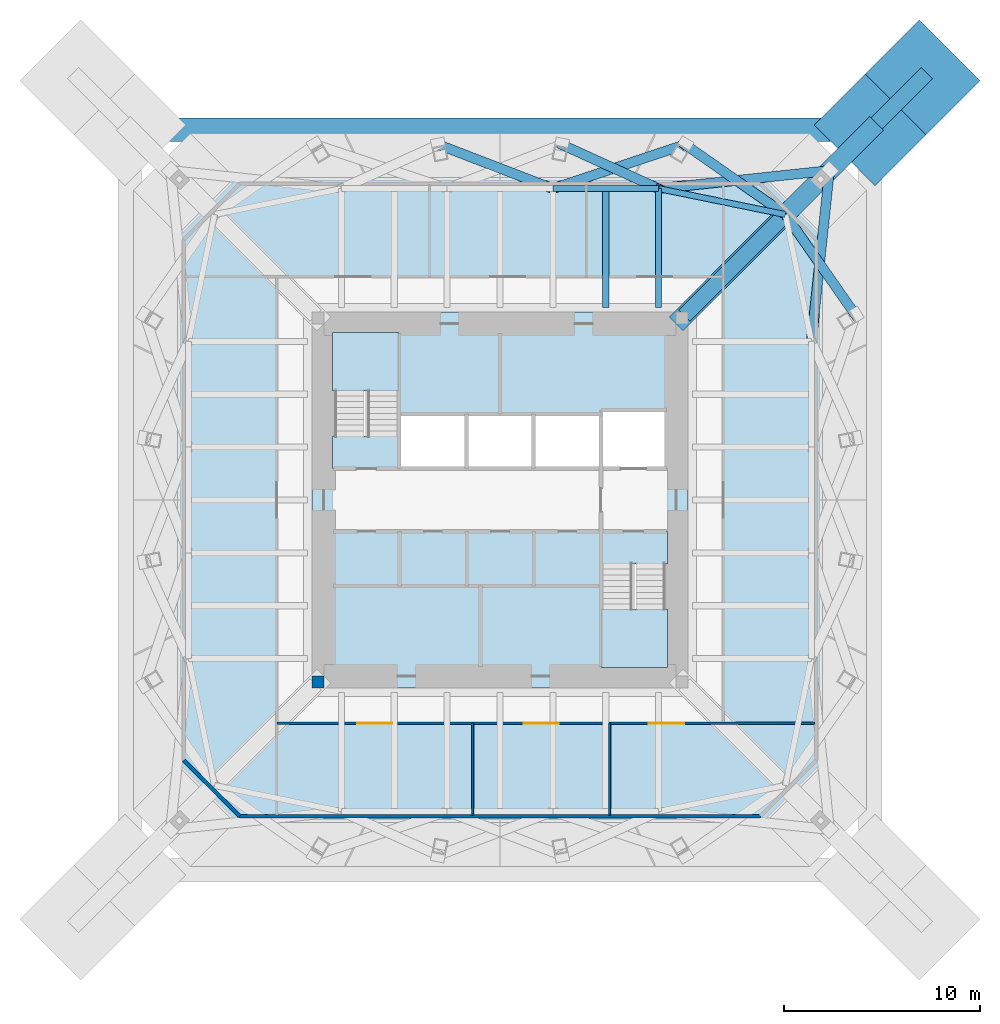
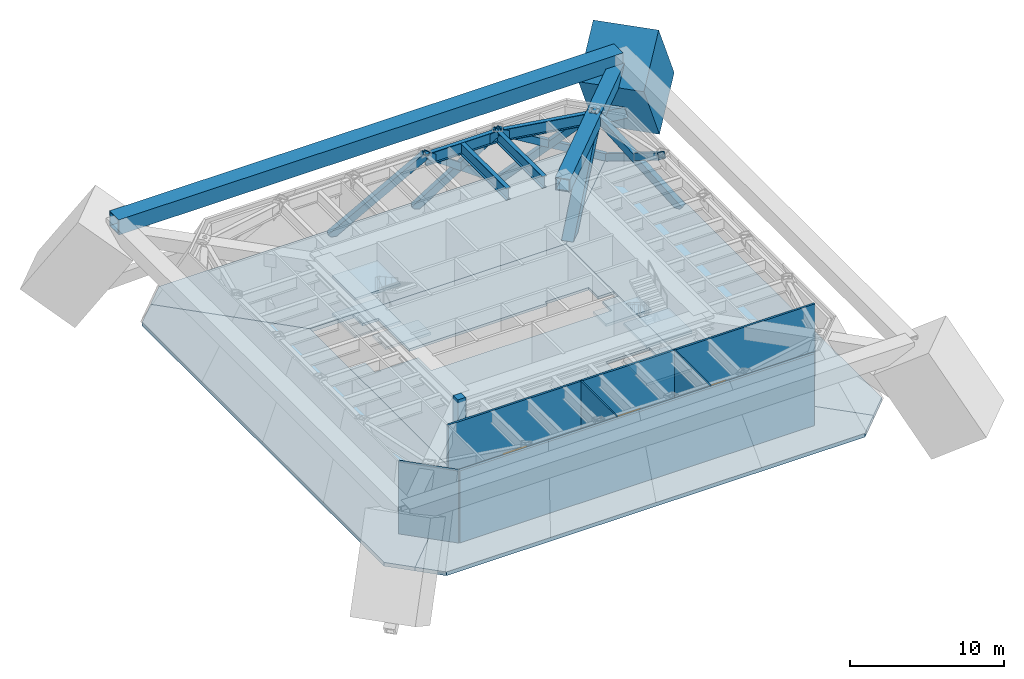
# One storey, part 3 of 6: 13 members, 12 slabs, 6 walls, 4 beams, 3 doors, 3 openings, 2 elements without a shape of their own.
"""IFC4 building model written with IfcOpenShell, lengths in metres."""

from ifc_helpers import new_model, si_unit, direction, frame, frame_2d, origin, origin_2d, place, context, subcontext, project, spatial, polyline, rectangle, hollow_rectangle, i_section, outline, extrude, material, layer, layer_set, constituent, constituent_set, material_profile, profile_set, type_object, element, fill, aggregate, save


model = new_model("IFC4")

# Units and contexts
model_context = context("Model", 3, precision=1e-05, world=origin(), true_north=direction((0.0, 1.0)))
body_context = subcontext(model_context, "Body", "Model", "MODEL_VIEW")
ifc_project = project(units=[si_unit("LENGTHUNIT", "METRE"), si_unit("AREAUNIT", "SQUARE_METRE"), si_unit("VOLUMEUNIT", "CUBIC_METRE"), si_unit("PLANEANGLEUNIT", "RADIAN"), si_unit("MASSUNIT", "GRAM", prefix="KILO")], contexts=[model_context])

# Site, building, storey
site_placement = place(None, origin())
site = spatial("IfcSite", under=ifc_project, at=site_placement, CompositionType="ELEMENT")
building_placement = place(site_placement, origin())
building = spatial("IfcBuilding", under=site, at=building_placement, Name="Iwan Alto Co-Living Towers", CompositionType="ELEMENT")
storey_placement = place(building_placement, frame((0.0, 0.0, 209.0)))
storey = spatial("IfcBuildingStorey", under=building, at=storey_placement, Name="L57", CompositionType="ELEMENT", Elevation=209.0)

# Beams
ifc_material_1 = material(Name="Steel ASTM A992 Gr 50", Category="steel")
ifc_material_profile_1 = material_profile(ifc_material_1, i_section(OverallWidth=0.307373046875, OverallDepth=0.927001953125, WebThickness=0.01953125, FlangeThickness=0.031982421875, at=origin_2d()), Name="W36X194")
ifc_profile_set_1 = profile_set([ifc_material_profile_1], Name="Steel ASTM A992 Gr 50")
beam_type_1 = type_object("IfcBeamType", Name="T1 BELT TRUSS CHORD W36X194", PredefinedType="BEAM", material=ifc_profile_set_1)
beam_1_placement = place(storey_placement, frame((14.57568359375, 14.57568359375, 5.306396484375), z_axis=(-0.979724820103, 0.200347889618, 0.0), x_axis=(-0.200347889618, -0.979724820103, 0.0)))
element("IfcBeam", 1, at=beam_1_placement, inside=storey, type_object=beam_type_1, Name="T1 edge beam CNE L58", PredefinedType="BEAM", context=body_context, shape_type="SweptSolid", body=[
    extrude(i_section(OverallWidth=0.307373046875, OverallDepth=0.927001953125, WebThickness=0.01953125, FlangeThickness=0.031982421875, at=origin_2d()), origin(), (0.0, 0.0, 1.0), 6.609619140625),
])
beam_2_placement = place(storey_placement, frame((8.10009765625, 15.89990234375, 5.306396484375), z_axis=(-1.0, 0.0, 0.0), x_axis=(0.0, -1.0, 0.0)))
element("IfcBeam", 2, at=beam_2_placement, inside=storey, type_object=beam_type_1, Name="T1 edge beam N1 L58", PredefinedType="BEAM", context=body_context, shape_type="SweptSolid", body=[
    extrude(i_section(OverallWidth=0.307373046875, OverallDepth=0.927001953125, WebThickness=0.01953125, FlangeThickness=0.031982421875, at=origin_2d()), origin(), (0.0, 0.0, 1.0), 5.400146484375),
])

# Members
ifc_material_2 = material(Name="Steel ASTM A572 Gr 50", Category="steel")
ifc_material_profile_2 = material_profile(ifc_material_2, hollow_rectangle(XDim=0.5, YDim=0.5, WallThickness=0.031982421875, at=origin_2d()), Name="BOX 500X500X32")
ifc_profile_set_2 = profile_set([ifc_material_profile_2], Name="Steel ASTM A572 Gr 50")
member_type_1 = type_object("IfcMemberType", Name="T1 BELT TRUSS DIAGONAL BOX 500X500X32", PredefinedType="BRACE", material=ifc_profile_set_2)
member_1_placement = place(storey_placement, frame((18.14990234375, 9.449951171875, 0.0), z_axis=(-0.422584825001, 0.606022431756, 0.673913108559), x_axis=(-0.820267631466, -0.571979905914, 0.0)))
element("IfcMember", 3, at=member_1_placement, inside=storey, type_object=member_type_1, Name="T1 belt truss diagonal E4 L57 1", PredefinedType="BRACE", context=body_context, shape_type="SweptSolid", body=[
    extrude(hollow_rectangle(XDim=0.5, YDim=0.5, WallThickness=0.031982421875, at=origin_2d()), origin(), (0.0, 0.0, 1.0), 8.4580078125),
])
for number, where, z_axis, x_axis, name in (
    (4, (16.82568359375, 16.82568359375, 0.0), (-0.088478203725, -0.833916403256, 0.544752273833), (0.994418516205, -0.105507415038, 0.0), "T1 belt truss diagonal E4 L57 2"),
    (5, (16.82568359375, 16.82568359375, 0.0), (-0.833916403256, -0.088478203725, 0.544752273833), (0.105507415038, -0.994418516205, 0.0), "T1 belt truss diagonal CNE L57 1"),
):
    element("IfcMember", number, at=place(storey_placement, frame(where, z_axis=z_axis, x_axis=x_axis)), inside=storey, type_object=member_type_1, Name=name, PredefinedType="BRACE", context=body_context, shape_type="SweptSolid", body=[
        extrude(hollow_rectangle(XDim=0.5, YDim=0.5, WallThickness=0.031982421875, at=origin_2d()), origin(), (0.0, 0.0, 1.0), 10.46337890625),
    ])
member_2_placement = place(storey_placement, frame((9.449951171875, 18.14990234375, 0.0), z_axis=(0.606022431756, -0.422584825001, 0.673913108559), x_axis=(0.571979905914, 0.820267631466, 0.0)))
element("IfcMember", 6, at=member_2_placement, inside=storey, type_object=member_type_1, Name="T1 belt truss diagonal CNE L57 2", PredefinedType="BRACE", context=body_context, shape_type="SweptSolid", body=[
    extrude(hollow_rectangle(XDim=0.5, YDim=0.5, WallThickness=0.031982421875, at=origin_2d()), origin(), (0.0, 0.0, 1.0), 8.4580078125),
])
member_3_placement = place(storey_placement, frame((9.449951171875, 18.14990234375, 0.0), z_axis=(-0.740398486837, -0.246799495612, 0.625220032993), x_axis=(0.316227766017, -0.948683298051, 0.0)))
element("IfcMember", 7, at=member_3_placement, inside=storey, type_object=member_type_1, Name="T1 belt truss diagonal N1 L57 1", PredefinedType="BRACE", context=body_context, shape_type="SweptSolid", body=[
    extrude(hollow_rectangle(XDim=0.5, YDim=0.5, WallThickness=0.031982421875, at=origin_2d()), origin(), (0.0, 0.0, 1.0), 9.11669921875),
])
member_4_placement = place(storey_placement, frame((3.14990234375, 18.14990234375, 0.0), z_axis=(0.628389798864, -0.28562045701, 0.723565626064), x_axis=(0.413789413043, 0.910372627913, 0.0)))
element("IfcMember", 8, at=member_4_placement, inside=storey, type_object=member_type_1, Name="T1 belt truss diagonal N1 L57 2", PredefinedType="BRACE", context=body_context, shape_type="SweptSolid", body=[
    extrude(hollow_rectangle(XDim=0.5, YDim=0.5, WallThickness=0.031982421875, at=origin_2d()), origin(), (0.0, 0.0, 1.0), 7.877685546875),
])
member_5_placement = place(storey_placement, frame((-3.14990234375, 18.14990234375, 0.0), z_axis=(0.690502507157, -0.265584537622, 0.672808398422), x_axis=(0.358986909968, 0.933342594373, 0.0)))
element("IfcMember", 9, at=member_5_placement, inside=storey, type_object=member_type_1, Name="T1 belt truss diagonal N2 L57 2", PredefinedType="BRACE", context=body_context, shape_type="SweptSolid", body=[
    extrude(hollow_rectangle(XDim=0.5, YDim=0.5, WallThickness=0.031982421875, at=origin_2d()), origin(), (0.0, 0.0, 1.0), 8.471923828125),
])
ifc_material_3 = material(Name="Steel ASTM A572 Gr 50", Category="steel")
ifc_material_profile_3 = material_profile(ifc_material_3, hollow_rectangle(XDim=1.199951171875, YDim=1.199951171875, WallThickness=0.070068359375, at=origin_2d()), Name="BOX 1200X1200X70")
ifc_profile_set_3 = profile_set([ifc_material_profile_3], Name="Steel ASTM A572 Gr 50")
member_type_2 = type_object("IfcMemberType", Name="T1 MEGA BELT TIE BOX 1200X1200X70", PredefinedType="STRUT", material=ifc_profile_set_3)
member_6_placement = place(storey_placement, frame((18.89990234375, 18.89990234375, 6.0), z_axis=(-1.0, 0.0, 0.0), x_axis=(0.0, -1.0, 0.0)))
element("IfcMember", 10, at=member_6_placement, inside=storey, type_object=member_type_2, Name="T1 mega belt tie N L58", PredefinedType="STRUT", context=body_context, shape_type="SweptSolid", body=[
    extrude(hollow_rectangle(XDim=1.199951171875, YDim=1.199951171875, WallThickness=0.070068359375, at=origin_2d()), origin(), (0.0, 0.0, 1.0), 37.7998046875),
])
ifc_material_4 = material(Name="Steel ASTM A572 Gr 50", Category="steel")
ifc_material_profile_4 = material_profile(ifc_material_4, hollow_rectangle(XDim=1.0, YDim=1.0, WallThickness=0.070068359375, at=origin_2d()), Name="BOX 1000X1000X70")
ifc_profile_set_4 = profile_set([ifc_material_profile_4], Name="Steel ASTM A572 Gr 50")
member_type_3 = type_object("IfcMemberType", Name="T1 OUTRIGGER CHORD BOX 1000X1000X70", PredefinedType="CHORD", material=ifc_profile_set_4)
member_7_placement = place(storey_placement, frame((9.0, 9.0, 5.27001953125), z_axis=(0.707106781187, 0.707106781187, 0.0), x_axis=(-0.707106781187, 0.707106781187, 0.0)))
element("IfcMember", 11, at=member_7_placement, inside=storey, type_object=member_type_3, Name="T1 outrigger NE L57 top chord 1", PredefinedType="CHORD", context=body_context, shape_type="SweptSolid", body=[
    extrude(hollow_rectangle(XDim=1.0, YDim=1.0, WallThickness=0.070068359375, at=origin_2d()), origin(), (0.0, 0.0, 1.0), 7.88525390625),
])
member_8_placement = place(storey_placement, frame((14.57568359375, 14.57568359375, 5.27001953125), z_axis=(0.707106781187, 0.707106781187, 0.0), x_axis=(-0.707106781187, 0.707106781187, 0.0)))
element("IfcMember", 12, at=member_8_placement, inside=storey, type_object=member_type_3, Name="T1 outrigger NE L57 top chord 2", PredefinedType="CHORD", context=body_context, shape_type="SweptSolid", body=[
    extrude(hollow_rectangle(XDim=1.0, YDim=1.0, WallThickness=0.070068359375, at=origin_2d()), origin(), (0.0, 0.0, 1.0), 6.588623046875),
])
ifc_material_5 = material(Name="Steel ASTM A572 Gr 42", Category="steel")
ifc_material_profile_5 = material_profile(ifc_material_5, hollow_rectangle(XDim=0.800048828125, YDim=0.800048828125, WallThickness=0.139892578125, at=origin_2d()), Name="BOX 800X800X140")
ifc_profile_set_5 = profile_set([ifc_material_profile_5], Name="Steel ASTM A572 Gr 42")
member_type_4 = type_object("IfcMemberType", Name="T1 OUTRIGGER DIAGONAL BOX 800X800X140", PredefinedType="BRACE", material=ifc_profile_set_5)
member_9_placement = place(storey_placement, frame((9.60009765625, 9.60009765625, -0.800048828125), z_axis=(0.535415984594, 0.535415984594, 0.653191738222), x_axis=(-0.707106781187, 0.707106781187, 0.0)))
element("IfcMember", 13, at=member_9_placement, inside=storey, type_object=member_type_4, Name="T1 outrigger NE L57 diagonal 1", PredefinedType="BRACE", context=body_context, shape_type="SweptSolid", body=[
    extrude(hollow_rectangle(XDim=0.800048828125, YDim=0.800048828125, WallThickness=0.139892578125, at=origin_2d()), origin(), (0.0, 0.0, 1.0), 9.29296875),
])
member_10_placement = place(storey_placement, frame((14.57568359375, 14.57568359375, 5.27001953125), z_axis=(0.604535007813, 0.604535007813, -0.518724251079), x_axis=(-0.707106781187, 0.707106781187, 0.0)))
element("IfcMember", 14, at=member_10_placement, inside=storey, type_object=member_type_4, Name="T1 outrigger NE L57 diagonal 2", PredefinedType="BRACE", context=body_context, shape_type="SweptSolid", body=[
    extrude(hollow_rectangle(XDim=0.800048828125, YDim=0.800048828125, WallThickness=0.139892578125, at=origin_2d()), origin(), (0.0, 0.0, 1.0), 11.701904296875),
])

# Beam
ifc_material_6 = material(Name="Steel ASTM A992 Gr 50", Category="steel")
ifc_material_profile_6 = material_profile(ifc_material_6, i_section(OverallWidth=0.307373046875, OverallDepth=0.927001953125, WebThickness=0.01953125, FlangeThickness=0.031982421875, at=origin_2d()), Name="W36X194")
ifc_profile_set_6 = profile_set([ifc_material_profile_6], Name="Steel ASTM A992 Gr 50")
beam_type_2 = type_object("IfcBeamType", Name="T1 RADIAL BEAM W36X194", PredefinedType="BEAM", material=ifc_profile_set_6)
beam_3_placement = place(storey_placement, frame((8.10009765625, 15.89990234375, 5.306396484375), z_axis=(0.0, -1.0, 0.0), x_axis=(1.0, 0.0, 0.0)))
element("IfcBeam", 15, at=beam_3_placement, inside=storey, type_object=beam_type_2, Name="T1 radial beam N1 L58", PredefinedType="BEAM", context=body_context, shape_type="SweptSolid", body=[
    extrude(i_section(OverallWidth=0.307373046875, OverallDepth=0.927001953125, WebThickness=0.01953125, FlangeThickness=0.031982421875, at=origin_2d()), origin(), (0.0, 0.0, 1.0), 6.08154296875),
])

# Member
ifc_material_7 = material(Name="Concrete f'c 70 MPa", Category="concrete")
ifc_material_profile_7 = material_profile(ifc_material_7, rectangle(XDim=4.39990234375, YDim=4.39990234375, at=origin_2d()), Name="RC 4400X4400")
ifc_profile_set_7 = profile_set([ifc_material_profile_7], Name="Concrete f'c 70 MPa")
member_type_5 = type_object("IfcMemberType", Name="T1 RAKING MEGA COLUMN RC 4400X4400", PredefinedType="MEMBER", material=ifc_profile_set_7)
member_11_placement = place(storey_placement, frame((21.64990234375, 21.64990234375, 0.0), z_axis=(-0.384605980701, -0.384605980701, 0.83914032153), x_axis=(0.707106781187, -0.707106781187, 0.0)))
element("IfcMember", 16, at=member_11_placement, inside=storey, type_object=member_type_5, Name="T1 raking mega column NE L57", PredefinedType="MEMBER", context=body_context, shape_type="SweptSolid", body=[
    extrude(rectangle(XDim=4.39990234375, YDim=4.39990234375, at=origin_2d()), origin(), (0.0, 0.0, 1.0), 7.150146484375),
    extrude(i_section(OverallWidth=0.4775390625, OverallDepth=0.599365234375, WebThickness=0.10009765625, FlangeThickness=0.139892578125, at=origin_2d()), origin(), (0.0, 0.0, 1.0), 7.150146484375),
])

# Beam
ifc_material_8 = material(Name="Steel ASTM A992 Gr 50", Category="steel")
ifc_material_profile_8 = material_profile(ifc_material_8, i_section(OverallWidth=0.307373046875, OverallDepth=0.927001953125, WebThickness=0.01953125, FlangeThickness=0.031982421875, at=origin_2d()), Name="W36X194")
ifc_profile_set_8 = profile_set([ifc_material_profile_8], Name="Steel ASTM A992 Gr 50")
beam_type_3 = type_object("IfcBeamType", Name="T1 SECONDARY BEAM W36X194", PredefinedType="JOIST", material=ifc_profile_set_8)
beam_4_placement = place(storey_placement, frame((5.39990234375, 15.89990234375, 5.306396484375), z_axis=(0.0, -1.0, 0.0), x_axis=(1.0, 0.0, 0.0)))
element("IfcBeam", 17, at=beam_4_placement, inside=storey, type_object=beam_type_3, Name="T1 secondary beam N1 L58", PredefinedType="JOIST", context=body_context, shape_type="SweptSolid", body=[
    extrude(i_section(OverallWidth=0.307373046875, OverallDepth=0.927001953125, WebThickness=0.01953125, FlangeThickness=0.031982421875, at=origin_2d()), origin(), (0.0, 0.0, 1.0), 6.08154296875),
])

# Slabs
ifc_material_9 = material(Name="Concrete f'c 30 MPa", Category="concrete")
ifc_layer_1 = layer(ifc_material_9, 0.199951171875)
ifc_layer_set_1 = layer_set([ifc_layer_1], Name="CORE FLOOR SLAB 200")
slab_type_1 = type_object("IfcSlabType", Name="CORE FLOOR SLAB 200", PredefinedType="FLOOR", material=ifc_layer_set_1)
slab_1_placement = place(storey_placement, frame((0.0, 0.0, -0.199951171875)))
element("IfcSlab", 18, at=slab_1_placement, inside=storey, type_object=slab_type_1, Name="T1 core floor and outrigger diaphragm L57", PredefinedType="FLOOR", context=body_context, shape_type="SweptSolid", body=[
    extrude(outline(polyline([(5.14990234375, -8.39990234375), (6.360107421875, -8.39990234375), (6.360107421875, -9.60009765625), (-9.60009765625, -9.60009765625), (-9.60009765625, 4.47998046875), (-8.39990234375, 4.47998046875), (-8.39990234375, 3.27001953125), (-5.14990234375, 3.27001953125), (-5.14990234375, 1.60009765625), (-1.717041015625, 1.60009765625), (1.717041015625, 1.60009765625), (5.14990234375, 1.60009765625), (8.39990234375, 1.60009765625), (8.39990234375, 2.81005859375), (9.60009765625, 2.81005859375), (9.60009765625, -4.47998046875), (8.39990234375, -4.47998046875), (8.39990234375, -3.27001953125), (5.14990234375, -3.27001953125), (5.14990234375, -8.39990234375)])), origin(), (0.0, 0.0, 1.0), 0.199951171875),
])
slab_2_placement = place(storey_placement, frame((0.0, 0.0, -0.199951171875)))
element("IfcSlab", 19, at=slab_2_placement, inside=storey, type_object=slab_type_1, Name="T1 core floor and outrigger diaphragm L57", PredefinedType="FLOOR", context=body_context, shape_type="SweptSolid", body=[
    extrude(outline(polyline([(1.717041015625, 4.39990234375), (-1.717041015625, 4.39990234375), (-5.14990234375, 4.39990234375), (-5.14990234375, 8.39990234375), (-6.360107421875, 8.39990234375), (-6.360107421875, 9.60009765625), (9.60009765625, 9.60009765625), (9.60009765625, 3.389892578125), (8.39990234375, 3.389892578125), (8.39990234375, 4.60009765625), (5.14990234375, 4.60009765625), (5.14990234375, 4.39990234375), (1.717041015625, 4.39990234375)])), origin(), (0.0, 0.0, 1.0), 0.199951171875),
])

# Stair, slabs
ifc_material_10 = material(Name="Steel ASTM A36", Category="steel")
ifc_constituent_1 = constituent(ifc_material_10, Name="Stringers", Category="LoadBearing")
ifc_material_11 = material(Name="Concrete f'c 30 MPa", Category="concrete")
ifc_constituent_2 = constituent(ifc_material_11, Name="Tread fill", Category="Finish")
ifc_constituent_set = constituent_set(constituents=[ifc_constituent_1, ifc_constituent_2], Name="STAIR 6000 FOUR-FLIGHT T1 CORE")
stair_type = type_object("IfcStairType", Name="STAIR 6000 FOUR-FLIGHT T1 CORE", PredefinedType="HALF_TURN_STAIR", material=ifc_constituent_set)
stair_1_placement = place(storey_placement, origin())
stair_1 = element("IfcStair", 20, at=stair_1_placement, inside=storey, type_object=stair_type, Name="Stair T1-S1 L57 to L58", PredefinedType="HALF_TURN_STAIR")
ifc_material_12 = material(Name="Concrete f'c 30 MPa", Category="concrete")
ifc_layer_2 = layer(ifc_material_12, 0.199951171875)
ifc_layer_set_2 = layer_set([ifc_layer_2], Name="STAIR LANDING 200")
slab_type_2 = type_object("IfcSlabType", Name="STAIR LANDING 200", PredefinedType="LANDING", material=ifc_layer_set_2)
slab_3_placement = place(storey_placement, frame((0.0, 0.0, 1.300048828125)))
slab_3 = element("IfcSlab", 21, at=slab_3_placement, type_object=slab_type_2, Name="T1-S1 landing 1", PredefinedType="LANDING", context=body_context, shape_type="SweptSolid", body=[
    extrude(outline(polyline([(-8.550048828125, 5.570068359375), (-8.550048828125, 8.550048828125), (-5.14990234375, 8.550048828125), (-5.14990234375, 5.570068359375), (-8.550048828125, 5.570068359375)])), origin(), (0.0, 0.0, 1.0), 0.199951171875),
])
slab_4_placement = place(storey_placement, frame((0.0, 0.0, 2.800048828125)))
slab_4 = element("IfcSlab", 22, at=slab_4_placement, type_object=slab_type_2, Name="T1-S1 landing 2", PredefinedType="LANDING", context=body_context, shape_type="SweptSolid", body=[
    extrude(outline(polyline([(-8.550048828125, 1.60009765625), (-8.550048828125, 3.27001953125), (-5.14990234375, 3.27001953125), (-5.14990234375, 1.60009765625), (-8.550048828125, 1.60009765625)])), origin(), (0.0, 0.0, 1.0), 0.199951171875),
])
slab_5_placement = place(storey_placement, frame((0.0, 0.0, 4.300048828125)))
slab_5 = element("IfcSlab", 23, at=slab_5_placement, type_object=slab_type_2, Name="T1-S1 landing 3", PredefinedType="LANDING", context=body_context, shape_type="SweptSolid", body=[
    extrude(outline(polyline([(-8.550048828125, 5.570068359375), (-8.550048828125, 8.550048828125), (-5.14990234375, 8.550048828125), (-5.14990234375, 5.570068359375), (-8.550048828125, 5.570068359375)])), origin(), (0.0, 0.0, 1.0), 0.199951171875),
])
aggregate(stair_1, [slab_3, slab_4, slab_5])

stair_2_placement = place(storey_placement, origin())
stair_2 = element("IfcStair", 24, at=stair_2_placement, inside=storey, type_object=stair_type, Name="Stair T1-S2 L57 to L58", PredefinedType="HALF_TURN_STAIR")
slab_6_placement = place(storey_placement, frame((0.0, 0.0, 1.300048828125)))
slab_6 = element("IfcSlab", 25, at=slab_6_placement, type_object=slab_type_2, Name="T1-S2 landing 1", PredefinedType="LANDING", context=body_context, shape_type="SweptSolid", body=[
    extrude(outline(polyline([(5.14990234375, -5.570068359375), (5.14990234375, -8.550048828125), (8.550048828125, -8.550048828125), (8.550048828125, -5.570068359375), (5.14990234375, -5.570068359375)])), origin(), (0.0, 0.0, 1.0), 0.199951171875),
])
slab_7_placement = place(storey_placement, frame((0.0, 0.0, 2.800048828125)))
slab_7 = element("IfcSlab", 26, at=slab_7_placement, type_object=slab_type_2, Name="T1-S2 landing 2", PredefinedType="LANDING", context=body_context, shape_type="SweptSolid", body=[
    extrude(outline(polyline([(5.14990234375, -1.60009765625), (5.14990234375, -3.27001953125), (8.550048828125, -3.27001953125), (8.550048828125, -1.60009765625), (5.14990234375, -1.60009765625)])), origin(), (0.0, 0.0, 1.0), 0.199951171875),
])
slab_8_placement = place(storey_placement, frame((0.0, 0.0, 4.300048828125)))
slab_8 = element("IfcSlab", 27, at=slab_8_placement, type_object=slab_type_2, Name="T1-S2 landing 3", PredefinedType="LANDING", context=body_context, shape_type="SweptSolid", body=[
    extrude(outline(polyline([(5.14990234375, -5.570068359375), (5.14990234375, -8.550048828125), (8.550048828125, -8.550048828125), (8.550048828125, -5.570068359375), (5.14990234375, -5.570068359375)])), origin(), (0.0, 0.0, 1.0), 0.199951171875),
])
aggregate(stair_2, [slab_6, slab_7, slab_8])

# Slabs
ifc_material_13 = material(Name="Concrete f'c 30 MPa", Category="concrete")
ifc_layer_3 = layer(ifc_material_13, 0.300048828125)
ifc_layer_set_3 = layer_set([ifc_layer_3], Name="T1 FLOOR SLAB 300")
slab_type_3 = type_object("IfcSlabType", Name="T1 FLOOR SLAB 300", PredefinedType="FLOOR", material=ifc_layer_set_3)
slab_9_placement = place(storey_placement, frame((0.0, 0.0, -0.300048828125)))
element("IfcSlab", 28, at=slab_9_placement, inside=storey, type_object=slab_type_3, Name="T1 floor slab L57 S pour", PredefinedType="FLOOR", context=body_context, shape_type="SweptSolid", body=[
    extrude(outline(polyline([(15.69140625, -18.64990234375), (-15.69140625, -18.64990234375), (-17.170654296875, -17.170654296875), (-9.60009765625, -9.60009765625), (9.60009765625, -9.60009765625), (17.170654296875, -17.170654296875), (15.69140625, -18.64990234375)])), origin(), (0.0, 0.0, 1.0), 0.300048828125),
])
slab_10_placement = place(storey_placement, frame((0.0, 0.0, -0.300048828125)))
element("IfcSlab", 29, at=slab_10_placement, inside=storey, type_object=slab_type_3, Name="T1 floor slab L57 E pour", PredefinedType="FLOOR", context=body_context, shape_type="SweptSolid", body=[
    extrude(outline(polyline([(18.64990234375, 15.69140625), (18.64990234375, -15.69140625), (17.170654296875, -17.170654296875), (9.60009765625, -9.60009765625), (9.60009765625, 9.60009765625), (17.170654296875, 17.170654296875), (18.64990234375, 15.69140625)])), origin(), (0.0, 0.0, 1.0), 0.300048828125),
])
slab_11_placement = place(storey_placement, frame((0.0, 0.0, -0.300048828125)))
element("IfcSlab", 30, at=slab_11_placement, inside=storey, type_object=slab_type_3, Name="T1 floor slab L57 N pour", PredefinedType="FLOOR", context=body_context, shape_type="SweptSolid", body=[
    extrude(outline(polyline([(-15.69140625, 18.64990234375), (15.69140625, 18.64990234375), (17.170654296875, 17.170654296875), (9.60009765625, 9.60009765625), (-9.60009765625, 9.60009765625), (-17.170654296875, 17.170654296875), (-15.69140625, 18.64990234375)])), origin(), (0.0, 0.0, 1.0), 0.300048828125),
])
slab_12_placement = place(storey_placement, frame((0.0, 0.0, -0.300048828125)))
element("IfcSlab", 31, at=slab_12_placement, inside=storey, type_object=slab_type_3, Name="T1 floor slab L57 W pour", PredefinedType="FLOOR", context=body_context, shape_type="SweptSolid", body=[
    extrude(outline(polyline([(-18.64990234375, 15.69140625), (-17.170654296875, 17.170654296875), (-9.60009765625, 9.60009765625), (-9.60009765625, -9.60009765625), (-17.170654296875, -17.170654296875), (-18.64990234375, -15.69140625), (-18.64990234375, 15.69140625)])), origin(), (0.0, 0.0, 1.0), 0.300048828125),
])

# Wall, openings, doors
ifc_material_14 = material(Name="Gypsum board")
ifc_layer_4 = layer(ifc_material_14, 0.02490234375, Name="Board", Category="Finish")
ifc_material_15 = material(Name="Steel ASTM A1003 ST33H cold-formed studs", Category="steel")
ifc_layer_5 = layer(ifc_material_15, 0.10009765625, Name="Studs", Category="Framing")
ifc_layer_6 = layer(ifc_material_14, 0.02490234375, Name="Board", Category="Finish")
ifc_layer_set_4 = layer_set([ifc_layer_4, ifc_layer_5, ifc_layer_6], Name="CORRIDOR WALL 150")
wall_type_1 = type_object("IfcWallType", Name="CORRIDOR WALL 150", PredefinedType="PARTITIONING", material=ifc_layer_set_4)
wall_1_placement = place(storey_placement, frame((-11.39990234375, -11.39990234375, 0.0), z_axis=(0.0, 0.0, 1.0), x_axis=(1.0, 0.0, 0.0)))
wall_1 = element("IfcWall", 32, at=wall_1_placement, inside=storey, type_object=wall_type_1, Name="Partition L57", PredefinedType="PARTITIONING", context=body_context, shape_type="SweptSolid", body=[
    extrude(rectangle(XDim=27.489990234375, YDim=0.14990234375, at=frame_2d((13.7451171875, 0.0))), origin(), (0.0, 0.0, 1.0), 5.77001953125),
])
opening_1_placement = place(wall_1_placement, frame((4.10009765625, 0.0, 0.0)))
opening_1 = element("IfcOpeningElement", 33, at=opening_1_placement, cuts=wall_1, Name="Opening D9", PredefinedType="OPENING", context=body_context, shape_type="SweptSolid", body=[
    extrude(rectangle(XDim=1.800048828125, YDim=2.10009765625, at=frame_2d((0.89990234375, 1.050048828125))), frame((0.0, 0.0849609375, 0.0), z_axis=(0.0, -1.0, 0.0), x_axis=(1.0, 0.0, 0.0)), (0.0, 0.0, 1.0), 0.169921875),
])
opening_2_placement = place(wall_1_placement, frame((12.60009765625, 0.0, 0.0)))
opening_2 = element("IfcOpeningElement", 34, at=opening_2_placement, cuts=wall_1, Name="Opening D9", PredefinedType="OPENING", context=body_context, shape_type="SweptSolid", body=[
    extrude(rectangle(XDim=1.800048828125, YDim=2.10009765625, at=frame_2d((0.89990234375, 1.050048828125))), frame((0.0, 0.0849609375, 0.0), z_axis=(0.0, -1.0, 0.0), x_axis=(1.0, 0.0, 0.0)), (0.0, 0.0, 1.0), 0.169921875),
])
opening_3_placement = place(wall_1_placement, frame((19.0, 0.0, 0.0)))
opening_3 = element("IfcOpeningElement", 35, at=opening_3_placement, cuts=wall_1, Name="Opening D9", PredefinedType="OPENING", context=body_context, shape_type="SweptSolid", body=[
    extrude(rectangle(XDim=1.800048828125, YDim=2.10009765625, at=frame_2d((0.89990234375, 1.050048828125))), frame((0.0, 0.0849609375, 0.0), z_axis=(0.0, -1.0, 0.0), x_axis=(1.0, 0.0, 0.0)), (0.0, 0.0, 1.0), 0.169921875),
])
ifc_material_16 = material(Name="Steel frame with timber leaf", Category="steel")
door_type = type_object("IfcDoorType", Name="LOUNGE DOOR FD30S 1800X2100", OperationType="DOUBLE_DOOR_SINGLE_SWING", PredefinedType="DOOR", material=ifc_material_16)
door_1_placement = place(opening_1_placement, frame((1.800048828125, 0.0, 0.0), z_axis=(0.0, 0.0, 1.0), x_axis=(-1.0, 0.0, 0.0)))
door_1 = element("IfcDoor", 36, at=door_1_placement, inside=storey, type_object=door_type, Name="Water tank room door L57", OperationType="DOUBLE_DOOR_SINGLE_SWING", OverallHeight=2.10009765625, OverallWidth=1.800048828125, PredefinedType="DOOR", context=body_context, shape_type="SweptSolid", body=[
    extrude(rectangle(XDim=1.800048828125, YDim=2.10009765625, at=frame_2d((0.89990234375, 1.050048828125))), frame((0.0, 0.02490234375, 0.0), z_axis=(0.0, -1.0, 0.0), x_axis=(1.0, 0.0, 0.0)), (0.0, 0.0, 1.0), 0.050048828125),
])
fill(opening_1, door_1)
door_2_placement = place(opening_2_placement, frame((1.800048828125, 0.0, 0.0), z_axis=(0.0, 0.0, 1.0), x_axis=(-1.0, 0.0, 0.0)))
door_2 = element("IfcDoor", 37, at=door_2_placement, inside=storey, type_object=door_type, Name="Plant room (heat exchangers) door L57", OperationType="DOUBLE_DOOR_SINGLE_SWING", OverallHeight=2.10009765625, OverallWidth=1.800048828125, PredefinedType="DOOR", context=body_context, shape_type="SweptSolid", body=[
    extrude(rectangle(XDim=1.800048828125, YDim=2.10009765625, at=frame_2d((0.89990234375, 1.050048828125))), frame((0.0, 0.02490234375, 0.0), z_axis=(0.0, -1.0, 0.0), x_axis=(1.0, 0.0, 0.0)), (0.0, 0.0, 1.0), 0.050048828125),
])
fill(opening_2, door_2)
door_3_placement = place(opening_3_placement, frame((1.800048828125, 0.0, 0.0), z_axis=(0.0, 0.0, 1.0), x_axis=(-1.0, 0.0, 0.0)))
door_3 = element("IfcDoor", 38, at=door_3_placement, inside=storey, type_object=door_type, Name="Plant room (pumps) door L57", OperationType="DOUBLE_DOOR_SINGLE_SWING", OverallHeight=2.10009765625, OverallWidth=1.800048828125, PredefinedType="DOOR", context=body_context, shape_type="SweptSolid", body=[
    extrude(rectangle(XDim=1.800048828125, YDim=2.10009765625, at=frame_2d((0.89990234375, 1.050048828125))), frame((0.0, 0.02490234375, 0.0), z_axis=(0.0, -1.0, 0.0), x_axis=(1.0, 0.0, 0.0)), (0.0, 0.0, 1.0), 0.050048828125),
])
fill(opening_3, door_3)

# Walls
ifc_layer_7 = layer(ifc_material_14, 0.012451171875, Name="Board", Category="Finish")
ifc_layer_8 = layer(ifc_material_15, 0.074951171875, Name="Studs", Category="Framing")
ifc_layer_9 = layer(ifc_material_14, 0.012451171875, Name="Board", Category="Finish")
ifc_layer_set_5 = layer_set([ifc_layer_7, ifc_layer_8, ifc_layer_9], Name="PARTITION 100")
wall_type_2 = type_object("IfcWallType", Name="PARTITION 100", PredefinedType="PARTITIONING", material=ifc_layer_set_5)
for number, where, z_axis, x_axis, name in (
    (39, (5.60009765625, -16.090087890625, 0.0), (0.0, 0.0, 1.0), (0.0, 1.0, 0.0), "Partition L57"),
    (40, (-1.39990234375, -16.090087890625, 0.0), (0.0, 0.0, 1.0), (0.0, 1.0, 0.0), "Partition L57"),
):
    element("IfcWall", number, at=place(storey_placement, frame(where, z_axis=z_axis, x_axis=x_axis)), inside=storey, type_object=wall_type_2, Name=name, PredefinedType="PARTITIONING", context=body_context, shape_type="SweptSolid", body=[
        extrude(rectangle(XDim=4.690185546875, YDim=0.10009765625, at=frame_2d((2.34521484375, 0.0))), origin(), (0.0, 0.0, 1.0), 5.77001953125),
    ])
ifc_material_17 = material(Name="Aluminium 6063-T6 bronze anodised", Category="aluminium")
ifc_layer_10 = layer(ifc_material_17, 0.050048828125, Name="Louvred screen", Category="Finish")
ifc_layer_11 = layer(ifc_material_15, 0.14990234375, Name="Studs", Category="Framing")
ifc_layer_set_6 = layer_set([ifc_layer_10, ifc_layer_11], Name="PLANT PLENUM WALL 200")
wall_type_3 = type_object("IfcWallType", Name="PLANT PLENUM WALL 200", PredefinedType="PARTITIONING", material=ifc_layer_set_6)
wall_2_placement = place(storey_placement, frame((-13.294921875, -16.14990234375, 0.0), z_axis=(0.0, 0.0, 1.0), x_axis=(1.0, 0.0, 0.0)))
element("IfcWall", 41, at=wall_2_placement, inside=storey, type_object=wall_type_3, Name="T1 plant plenum wall L57 1", PredefinedType="PARTITIONING", context=body_context, shape_type="SweptSolid", body=[
    extrude(rectangle(XDim=26.58984375, YDim=0.199951171875, at=frame_2d((13.294921875, 0.0))), origin(), (0.0, 0.0, 1.0), 5.699951171875),
])
wall_3_placement = place(storey_placement, frame((-16.14990234375, -13.294921875, 0.0), z_axis=(0.0, 0.0, 1.0), x_axis=(0.707106781187, -0.707106781187, 0.0)))
element("IfcWall", 42, at=wall_3_placement, inside=storey, type_object=wall_type_3, Name="T1 plant plenum wall L57 8", PredefinedType="PARTITIONING", context=body_context, shape_type="SweptSolid", body=[
    extrude(rectangle(XDim=4.03759765625, YDim=0.199951171875, at=frame_2d((2.018798828125, 0.0))), origin(), (0.0, 0.0, 1.0), 5.699951171875),
])
ifc_material_18 = material(Name="Concrete f'c 70 MPa", Category="concrete")
ifc_layer_12 = layer(ifc_material_18, 0.60009765625)
ifc_layer_set_7 = layer_set([ifc_layer_12], Name="T1 CORE CORNER FILL 600")
wall_type_4 = type_object("IfcWallType", Name="T1 CORE CORNER FILL 600", PredefinedType="SOLIDWALL", material=ifc_layer_set_7)
wall_4_placement = place(storey_placement, frame((-9.60009765625, -9.300048828125, 0.0), z_axis=(0.0, 0.0, 1.0), x_axis=(1.0, 0.0, 0.0)))
element("IfcWall", 43, at=wall_4_placement, inside=storey, type_object=wall_type_4, Name="T1 core corner SW L57", PredefinedType="SOLIDWALL", context=body_context, shape_type="SweptSolid", body=[
    extrude(rectangle(XDim=0.60009765625, YDim=0.60009765625, at=frame_2d((0.300048828125, 0.0))), origin(), (0.0, 0.0, 1.0), 6.0),
])

save(model, "model.ifc")
